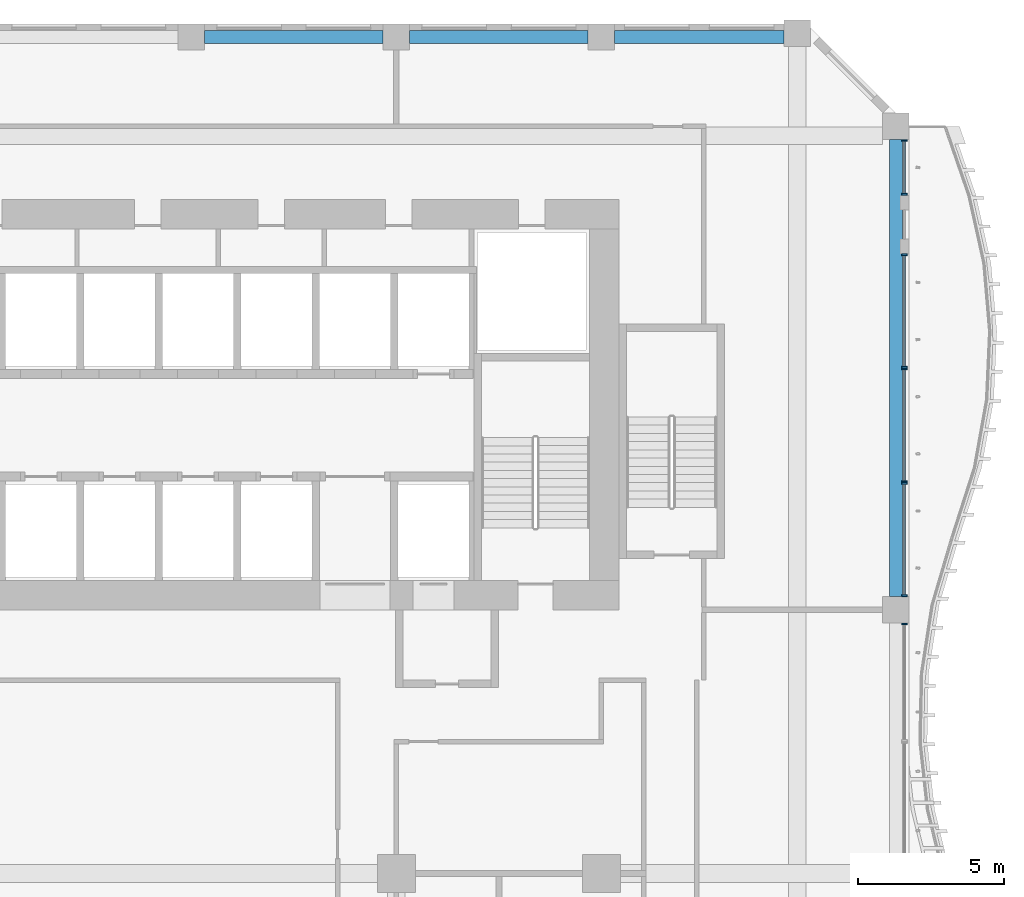
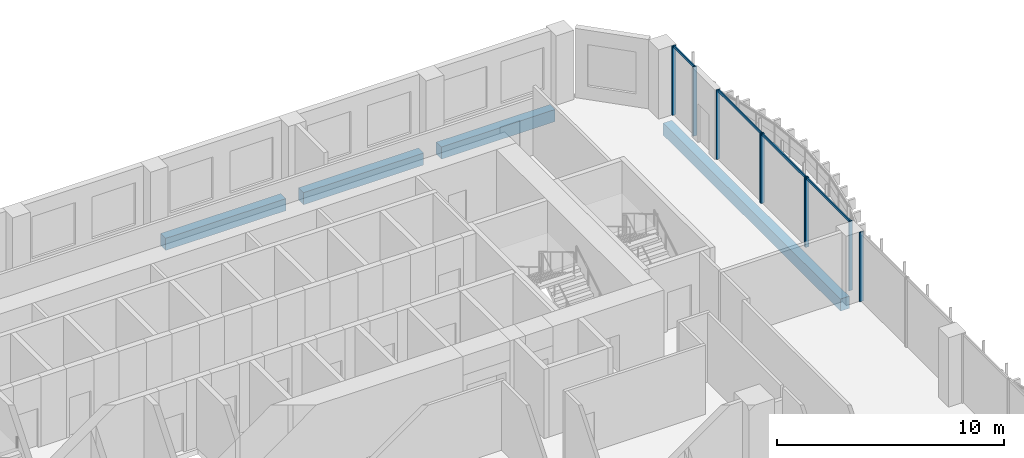
# One storey, part 8 of 24: 13 members, 4 beams, 5 elements without a shape of their own.
"""IFC4 building model written with IfcOpenShell, lengths in metres."""

from ifc_helpers import new_model, si_unit, direction, frame, origin, origin_2d, place, context, subcontext, project, spatial, rectangle, extrude, source, transform, mapped, material, material_profile, profile_set, type_object, element, aggregate, save


model = new_model("IFC4")

# Units and contexts
model_context = context("Model", 3, precision=1e-05, world=origin(), true_north=direction((0.0, 1.0)))
body_context = subcontext(model_context, "Body", "Model", "MODEL_VIEW")
ifc_project = project(units=[si_unit("LENGTHUNIT", "METRE"), si_unit("AREAUNIT", "SQUARE_METRE"), si_unit("VOLUMEUNIT", "CUBIC_METRE"), si_unit("PLANEANGLEUNIT", "RADIAN"), si_unit("MASSUNIT", "GRAM", prefix="KILO")], contexts=[model_context])

# Site, building, storey
site_placement = place(None, origin())
site = spatial("IfcSite", under=ifc_project, at=site_placement, CompositionType="ELEMENT")
building_placement = place(site_placement, origin())
building = spatial("IfcBuilding", under=site, at=building_placement, Name="Kilnfold Tower and Market Hall", CompositionType="ELEMENT")
storey_placement = place(building_placement, frame((0.0, 0.0, 35.0)))
storey = spatial("IfcBuildingStorey", under=building, at=storey_placement, Name="L07", CompositionType="ELEMENT", Elevation=35.0)

# Beams
ifc_material_1 = material(Name="Concrete C45", Category="concrete")
ifc_material_profile_1 = material_profile(ifc_material_1, rectangle(XDim=0.449951171875, YDim=0.64990234375, at=origin_2d()), Name="RC 450x650")
ifc_profile_set_1 = profile_set([ifc_material_profile_1], Name="Concrete C45")
beam_type = type_object("IfcBeamType", Name="EDGE BEAM 450X650 C45", PredefinedType="BEAM", material=ifc_profile_set_1)
shared_shape_1 = source(origin(), body_context, "Body", "SweptSolid", [
    extrude(rectangle(XDim=0.449951171875, YDim=0.64990234375, at=origin_2d()), origin(), (0.0, 0.0, 1.0), 6.10009765625),
])
for number, where, z_axis, x_axis, name in (
    (1, (3.949951171875, 27.550048828125, -0.60498046875), (1.0, 0.0, 0.0), (0.0, 1.0, 0.0), "Beam EB650-B1.27"),
    (2, (10.949951171875, 27.550048828125, -0.60498046875), (1.0, 0.0, 0.0), (0.0, 1.0, 0.0), "Beam EB650-B1.28"),
):
    element("IfcBeam", number, at=place(storey_placement, frame(where, z_axis=z_axis, x_axis=x_axis)), inside=storey, type_object=beam_type, Name=name, PredefinedType="BEAM", context=body_context, shape_type="MappedRepresentation", body=[
        mapped(shared_shape_1, transform((0.0, 0.0, 0.0))),
    ])
shared_shape_2 = source(origin(), body_context, "Body", "SweptSolid", [
    extrude(rectangle(XDim=0.449951171875, YDim=0.64990234375, at=origin_2d()), origin(), (0.0, 0.0, 1.0), 5.78173828125),
])
beam_1_placement = place(storey_placement, frame((17.949951171875, 27.550048828125, -0.60498046875), z_axis=(1.0, 0.0, 0.0), x_axis=(0.0, 1.0, 0.0)))
element("IfcBeam", 3, at=beam_1_placement, inside=storey, type_object=beam_type, Name="Beam EB650-B1.29", PredefinedType="BEAM", context=body_context, shape_type="MappedRepresentation", body=[
    mapped(shared_shape_2, transform((0.0, 0.0, 0.0))),
])
shared_shape_3 = source(origin(), body_context, "Body", "SweptSolid", [
    extrude(rectangle(XDim=0.449951171875, YDim=0.64990234375, at=origin_2d()), origin(), (0.0, 0.0, 1.0), 15.60009765625),
])
beam_2_placement = place(storey_placement, frame((27.550048828125, 8.449951171875, -0.60498046875), z_axis=(0.0, 1.0, 0.0), x_axis=(-1.0, 0.0, 0.0)))
element("IfcBeam", 4, at=beam_2_placement, inside=storey, type_object=beam_type, Name="Beam EB650-B1.59", PredefinedType="BEAM", context=body_context, shape_type="MappedRepresentation", body=[
    mapped(shared_shape_3, transform((0.0, 0.0, 0.0))),
])

# Curtain wall, member
ifc_material_2 = material(Name="Aluminium and double glazing", Category="aluminium")
curtain_wall_type = type_object("IfcCurtainWallType", Name="CW OF1 VALLEY GLAZING", PredefinedType="NOTDEFINED", material=ifc_material_2)
curtain_wall_1_placement = place(storey_placement, origin())
curtain_wall_1 = element("IfcCurtainWall", 5, at=curtain_wall_1_placement, inside=storey, type_object=curtain_wall_type, Name="Curtain wall CW1 L07 E", PredefinedType="NOTDEFINED")
ifc_material_3 = material(Name="Aluminium", Category="aluminium")
ifc_material_profile_2 = material_profile(ifc_material_3, rectangle(XDim=0.06005859375, YDim=0.179931640625, at=origin_2d()), Name="MULLION 60x180")
ifc_profile_set_2 = profile_set([ifc_material_profile_2], Name="Aluminium")
member_type_1 = type_object("IfcMemberType", Name="MULLION 60X180", PredefinedType="MULLION", material=ifc_profile_set_2)
shared_shape_4 = source(origin(), body_context, "Body", "SweptSolid", [
    extrude(rectangle(XDim=0.06005859375, YDim=0.179931640625, at=origin_2d()), origin(), (0.0, 0.0, 1.0), 3.719970703125),
])
member_1_placement = place(storey_placement, frame((27.85009765625, 7.52001953125, 0.0), z_axis=(0.0, 0.0, 1.0), x_axis=(0.0, 1.0, 0.0)))
member_1 = element("IfcMember", 6, at=member_1_placement, type_object=member_type_1, Name="CW1 mullion 2", PredefinedType="MULLION", context=body_context, shape_type="MappedRepresentation", body=[
    mapped(shared_shape_4, transform((0.0, 0.0, 0.0))),
])
aggregate(curtain_wall_1, [member_1])

# Curtain wall, members
curtain_wall_2_placement = place(storey_placement, origin())
curtain_wall_2 = element("IfcCurtainWall", 7, at=curtain_wall_2_placement, inside=storey, type_object=curtain_wall_type, Name="Curtain wall CW1 L07 E", PredefinedType="NOTDEFINED")
member_2_placement = place(storey_placement, frame((27.85009765625, 8.47998046875, 0.0), z_axis=(0.0, 0.0, 1.0), x_axis=(0.0, 1.0, 0.0)))
member_2 = element("IfcMember", 8, at=member_2_placement, type_object=member_type_1, Name="CW1 mullion 1", PredefinedType="MULLION", context=body_context, shape_type="MappedRepresentation", body=[
    mapped(shared_shape_4, transform((0.0, 0.0, 0.0))),
])
member_3_placement = place(storey_placement, frame((27.85009765625, 12.320068359375, 0.0), z_axis=(0.0, 0.0, 1.0), x_axis=(0.0, 1.0, 0.0)))
member_3 = element("IfcMember", 9, at=member_3_placement, type_object=member_type_1, Name="CW1 mullion 2", PredefinedType="MULLION", context=body_context, shape_type="MappedRepresentation", body=[
    mapped(shared_shape_4, transform((0.0, 0.0, 0.0))),
])

curtain_wall_3_placement = place(storey_placement, origin())
curtain_wall_3 = element("IfcCurtainWall", 10, at=curtain_wall_3_placement, inside=storey, type_object=curtain_wall_type, Name="Curtain wall CW1 L07 E", PredefinedType="NOTDEFINED")
member_4_placement = place(storey_placement, frame((27.85009765625, 12.3798828125, 0.0), z_axis=(0.0, 0.0, 1.0), x_axis=(0.0, 1.0, 0.0)))
member_4 = element("IfcMember", 11, at=member_4_placement, type_object=member_type_1, Name="CW1 mullion 1", PredefinedType="MULLION", context=body_context, shape_type="MappedRepresentation", body=[
    mapped(shared_shape_4, transform((0.0, 0.0, 0.0))),
])
member_5_placement = place(storey_placement, frame((27.85009765625, 16.219970703125, 0.0), z_axis=(0.0, 0.0, 1.0), x_axis=(0.0, 1.0, 0.0)))
member_5 = element("IfcMember", 12, at=member_5_placement, type_object=member_type_1, Name="CW1 mullion 2", PredefinedType="MULLION", context=body_context, shape_type="MappedRepresentation", body=[
    mapped(shared_shape_4, transform((0.0, 0.0, 0.0))),
])

curtain_wall_4_placement = place(storey_placement, origin())
curtain_wall_4 = element("IfcCurtainWall", 13, at=curtain_wall_4_placement, inside=storey, type_object=curtain_wall_type, Name="Curtain wall CW1 L07 E", PredefinedType="NOTDEFINED")
member_6_placement = place(storey_placement, frame((27.85009765625, 16.280029296875, 0.0), z_axis=(0.0, 0.0, 1.0), x_axis=(0.0, 1.0, 0.0)))
member_6 = element("IfcMember", 14, at=member_6_placement, type_object=member_type_1, Name="CW1 mullion 1", PredefinedType="MULLION", context=body_context, shape_type="MappedRepresentation", body=[
    mapped(shared_shape_4, transform((0.0, 0.0, 0.0))),
])
member_7_placement = place(storey_placement, frame((27.85009765625, 20.1201171875, 0.0), z_axis=(0.0, 0.0, 1.0), x_axis=(0.0, 1.0, 0.0)))
member_7 = element("IfcMember", 15, at=member_7_placement, type_object=member_type_1, Name="CW1 mullion 2", PredefinedType="MULLION", context=body_context, shape_type="MappedRepresentation", body=[
    mapped(shared_shape_4, transform((0.0, 0.0, 0.0))),
])

curtain_wall_5_placement = place(storey_placement, origin())
curtain_wall_5 = element("IfcCurtainWall", 16, at=curtain_wall_5_placement, inside=storey, type_object=curtain_wall_type, Name="Curtain wall CW1 L07 E", PredefinedType="NOTDEFINED")
member_8_placement = place(storey_placement, frame((27.85009765625, 22.179931640625, 0.0), z_axis=(0.0, 0.0, 1.0), x_axis=(0.0, 1.0, 0.0)))
member_8 = element("IfcMember", 17, at=member_8_placement, type_object=member_type_1, Name="CW1 mullion 1", PredefinedType="MULLION", context=body_context, shape_type="MappedRepresentation", body=[
    mapped(shared_shape_4, transform((0.0, 0.0, 0.0))),
])
member_9_placement = place(storey_placement, frame((27.85009765625, 24.02001953125, 0.0), z_axis=(0.0, 0.0, 1.0), x_axis=(0.0, 1.0, 0.0)))
member_9 = element("IfcMember", 18, at=member_9_placement, type_object=member_type_1, Name="CW1 mullion 2", PredefinedType="MULLION", context=body_context, shape_type="MappedRepresentation", body=[
    mapped(shared_shape_4, transform((0.0, 0.0, 0.0))),
])

# Member
ifc_material_4 = material(Name="Aluminium", Category="aluminium")
ifc_material_profile_3 = material_profile(ifc_material_4, rectangle(XDim=0.06005859375, YDim=0.139892578125, at=origin_2d()), Name="TRANSOM 60x140")
ifc_profile_set_3 = profile_set([ifc_material_profile_3], Name="Aluminium")
member_type_2 = type_object("IfcMemberType", Name="TRANSOM 60X140", PredefinedType="USERDEFINED", material=ifc_profile_set_3)
shared_shape_5 = source(origin(), body_context, "Body", "SweptSolid", [
    extrude(rectangle(XDim=0.06005859375, YDim=0.139892578125, at=origin_2d()), origin(), (0.0, 0.0, 1.0), 3.780029296875),
])
member_10_placement = place(storey_placement, frame((27.85009765625, 8.510009765625, 3.68994140625), z_axis=(0.0, 1.0, 0.0), x_axis=(-1.0, 0.0, 0.0)))
member_10 = element("IfcMember", 19, at=member_10_placement, type_object=member_type_2, Name="CW1 transom 1.2", ObjectType="TRANSOM", PredefinedType="USERDEFINED", context=body_context, shape_type="MappedRepresentation", body=[
    mapped(shared_shape_5, transform((0.0, 0.0, 0.0))),
])

aggregate(curtain_wall_2, [member_2, member_3, member_10])

member_11_placement = place(storey_placement, frame((27.85009765625, 12.409912109375, 3.68994140625), z_axis=(0.0, 1.0, 0.0), x_axis=(-1.0, 0.0, 0.0)))
member_11 = element("IfcMember", 20, at=member_11_placement, type_object=member_type_2, Name="CW1 transom 1.2", ObjectType="TRANSOM", PredefinedType="USERDEFINED", context=body_context, shape_type="MappedRepresentation", body=[
    mapped(shared_shape_5, transform((0.0, 0.0, 0.0))),
])

aggregate(curtain_wall_3, [member_4, member_5, member_11])

member_12_placement = place(storey_placement, frame((27.85009765625, 16.31005859375, 3.68994140625), z_axis=(0.0, 1.0, 0.0), x_axis=(-1.0, 0.0, 0.0)))
member_12 = element("IfcMember", 21, at=member_12_placement, type_object=member_type_2, Name="CW1 transom 1.2", ObjectType="TRANSOM", PredefinedType="USERDEFINED", context=body_context, shape_type="MappedRepresentation", body=[
    mapped(shared_shape_5, transform((0.0, 0.0, 0.0))),
])

aggregate(curtain_wall_4, [member_6, member_7, member_12])

shared_shape_6 = source(origin(), body_context, "Body", "SweptSolid", [
    extrude(rectangle(XDim=0.06005859375, YDim=0.139892578125, at=origin_2d()), origin(), (0.0, 0.0, 1.0), 1.780029296875),
])
member_13_placement = place(storey_placement, frame((27.85009765625, 22.2099609375, 3.68994140625), z_axis=(0.0, 1.0, 0.0), x_axis=(-1.0, 0.0, 0.0)))
member_13 = element("IfcMember", 22, at=member_13_placement, type_object=member_type_2, Name="CW1 transom 1.2", ObjectType="TRANSOM", PredefinedType="USERDEFINED", context=body_context, shape_type="MappedRepresentation", body=[
    mapped(shared_shape_6, transform((0.0, 0.0, 0.0))),
])

aggregate(curtain_wall_5, [member_8, member_9, member_13])

save(model, "model.ifc")
